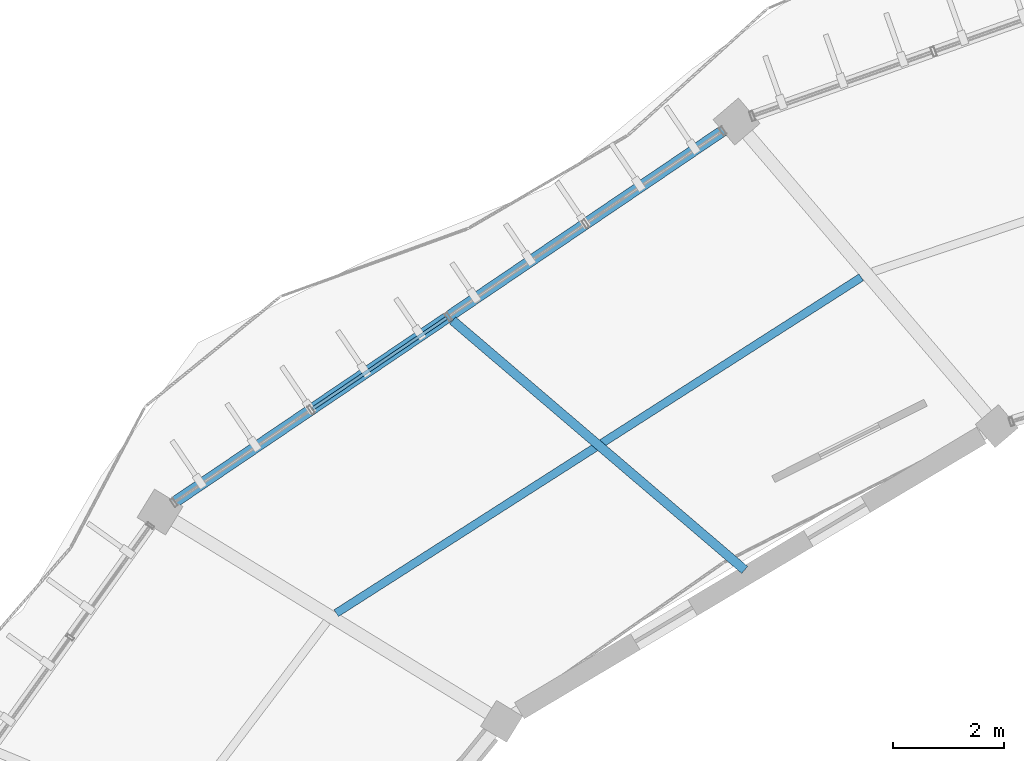
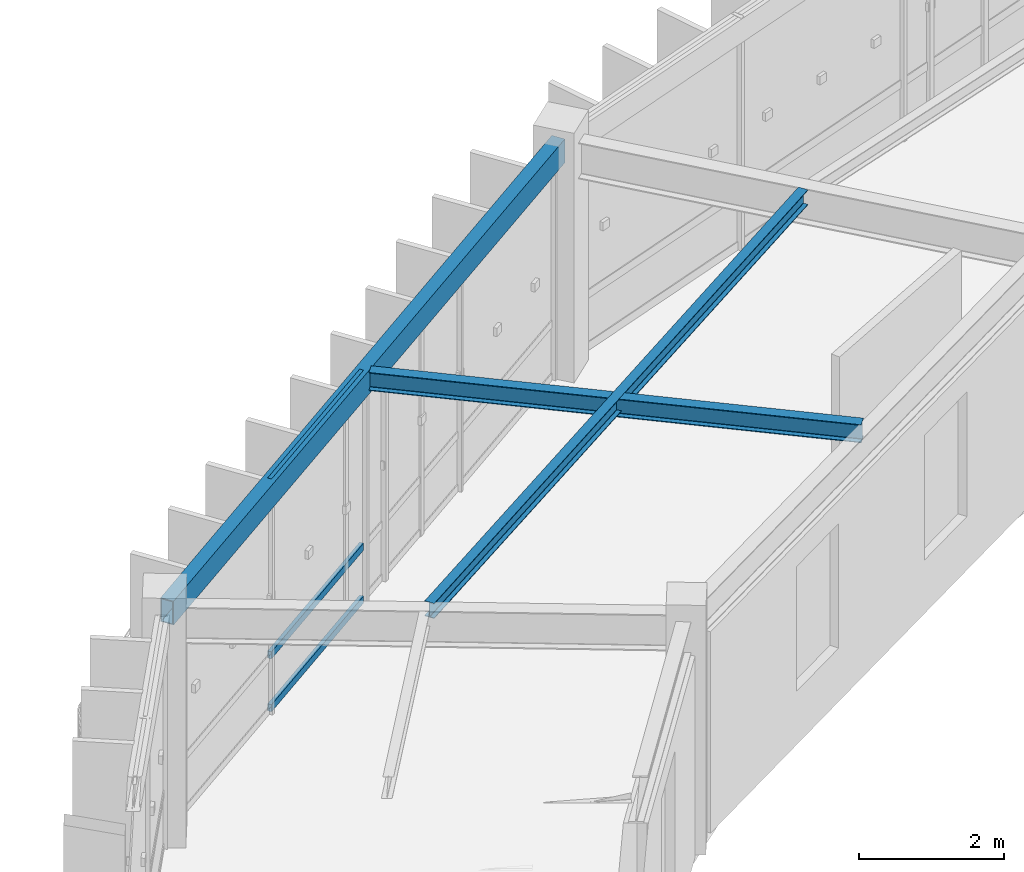
# One storey, part 22 of 83: 3 beams, 3 members, 1 element without a shape of its own.
"""IFC4 building model written with IfcOpenShell, lengths in metres."""

import ifcopenshell
import ifcopenshell.guid

model = None  # the IFC model being written
_history = None  # IfcOwnerHistory: only IFC2X3 demands one
_inside = {}  # id of a spatial element -> (the spatial element, [elements in it])
_under = {}  # id of a project, library or spatial element -> (it, [spatial elements below it])
_declared = {}  # id of a project -> (the project, [libraries it declares])
_typed = {}  # id of a type object -> (the type object, [elements of that type])
_made_of = {}  # id of a material, layer set ... -> (it, [elements and type objects made of it])


def new_model(schema):
    """Start an empty IFC model of exactly this schema.

    Asked for "IFC4X3", IfcOpenShell would pick the latest addendum, in which some entities
    have other attributes; the version numbers below select the first issue.
    IFC2X3 requires an IfcOwnerHistory on every rooted entity: one is made here for all.
    """
    global model, _history
    if schema == "IFC4X3":
        model = ifcopenshell.file(schema_version=(4, 3, 0, 0))
    else:
        model = ifcopenshell.file(schema=schema)
    _inside.clear()
    _under.clear()
    _declared.clear()
    _typed.clear()
    _made_of.clear()
    _history = None
    if model.schema == "IFC2X3":
        org = make("IfcOrganization", Name="unknown")
        user = make(
            "IfcPersonAndOrganization",
            ThePerson=make("IfcPerson", FamilyName="unknown"),
            TheOrganization=org,
        )
        app = make(
            "IfcApplication",
            ApplicationDeveloper=org,
            Version="unknown",
            ApplicationFullName="unknown",
            ApplicationIdentifier="unknown",
        )
        _history = make(
            "IfcOwnerHistory",
            OwningUser=user,
            OwningApplication=app,
            ChangeAction="ADDED",
            CreationDate=0,
        )
    return model


def make(cls, **values):
    """One entity of the class cls with the attributes given. An attribute that is None is left unset."""
    return model.create_entity(
        cls, **{name: value for name, value in values.items() if value is not None}
    )


def rooted(cls, **values):
    """An entity with a GlobalId (a new one), such as an element, a storey or a relation."""
    return make(cls, GlobalId=ifcopenshell.guid.new(), OwnerHistory=_history, **values)


def si_unit(unit_type, name, prefix=None):
    """IfcSIUnit, for example si_unit("LENGTHUNIT", "METRE", prefix="MILLI")."""
    return make("IfcSIUnit", UnitType=unit_type, Prefix=prefix, Name=name)


def assignment(units):
    """IfcUnitAssignment: the units of a project."""
    return None if units is None else make("IfcUnitAssignment", Units=units)


def point(xyz):
    """IfcCartesianPoint."""
    return None if xyz is None else make("IfcCartesianPoint", Coordinates=xyz)


def direction(xyz):
    """IfcDirection."""
    return None if xyz is None else make("IfcDirection", DirectionRatios=xyz)


def frame(location, z_axis=None, x_axis=None):
    """IfcAxis2Placement3D, a coordinate frame: its origin and axes. An axis left out is left unset."""
    return make(
        "IfcAxis2Placement3D",
        Location=point(location),
        Axis=direction(z_axis),
        RefDirection=direction(x_axis),
    )


def frame_2d(location, x_axis=None):
    """IfcAxis2Placement2D, a coordinate frame in the plane: its origin and x axis."""
    return make(
        "IfcAxis2Placement2D", Location=point(location), RefDirection=direction(x_axis)
    )


def origin():
    """The frame at (0, 0, 0) with its axes left unset."""
    return frame((0.0, 0.0, 0.0))


def origin_2d():
    """The frame at (0, 0) in the plane with its x axis left unset."""
    return frame_2d((0.0, 0.0))


def place(relative_to, where):
    """IfcLocalPlacement: puts the frame where relative to a parent placement (None: the world)."""
    return make(
        "IfcLocalPlacement", PlacementRelTo=relative_to, RelativePlacement=where
    )


def context(
    kind, dimensions, precision=None, world=None, true_north=None, identifier=None
):
    """IfcGeometricRepresentationContext, for example the 3D "Model" context."""
    return make(
        "IfcGeometricRepresentationContext",
        ContextIdentifier=identifier,
        ContextType=kind,
        CoordinateSpaceDimension=dimensions,
        Precision=precision,
        WorldCoordinateSystem=world,
        TrueNorth=true_north,
    )


def subcontext(parent, identifier, kind, view, scale=None):
    """IfcGeometricRepresentationSubContext, for example "Body" below "Model"."""
    return make(
        "IfcGeometricRepresentationSubContext",
        ContextIdentifier=identifier,
        ContextType=kind,
        ParentContext=parent,
        TargetScale=scale,
        TargetView=view,
    )


def project(units=None, contexts=None):
    """IfcProject with its units and contexts."""
    return rooted(
        "IfcProject",
        Name="project",
        RepresentationContexts=contexts,
        UnitsInContext=assignment(units),
    )


def spatial(cls, under=None, at=None, **own):
    """A site, building, storey or space (cls), placed at a placement, below another one or the project."""
    s = rooted(cls, ObjectPlacement=at, **own)
    if under is not None:
        _under.setdefault(under.id(), (under, []))[1].append(s)
    return s


def profile(cls, at=None, kind="AREA", **sizes):
    """A parametric profile (cls). Its sizes go by their IFC names, for example OverallWidth=200.0."""
    return make(cls, ProfileType=kind, Position=at, **sizes)


def hollow_rectangle(**sizes):
    """IfcRectangleHollowProfileDef."""
    return profile("IfcRectangleHollowProfileDef", **sizes)


def i_section(**sizes):
    """IfcIShapeProfileDef."""
    return profile("IfcIShapeProfileDef", **sizes)


def extrude(swept, where, along, depth):
    """IfcExtrudedAreaSolid: the profile swept, set in the frame where, extruded along a direction by depth."""
    return make(
        "IfcExtrudedAreaSolid",
        SweptArea=swept,
        Position=where,
        ExtrudedDirection=direction(along),
        Depth=depth,
    )


def shape(context_of_items, identifier, shape_type, items):
    """IfcShapeRepresentation: the items that make up one representation, for example the "Body"."""
    return make(
        "IfcShapeRepresentation",
        ContextOfItems=context_of_items,
        RepresentationIdentifier=identifier,
        RepresentationType=shape_type,
        Items=items,
    )


def material(Name=None, Category=None):
    """IfcMaterial."""
    return make("IfcMaterial", Name=Name, Category=Category)


def material_profile(
    of_material, cross_section, Name=None, Category=None, Priority=None
):
    """IfcMaterialProfile: a cross section and its material."""
    return make(
        "IfcMaterialProfile",
        Name=Name,
        Material=of_material,
        Profile=cross_section,
        Priority=Priority,
        Category=Category,
    )


def profile_set(profiles, Name=None, composite=None):
    """IfcMaterialProfileSet."""
    return make(
        "IfcMaterialProfileSet",
        Name=Name,
        MaterialProfiles=profiles,
        CompositeProfile=composite,
    )


def made_of(thing, what):
    """Note that an element or type object is made of a material, layer set ...; save() writes the relation."""
    if what is not None:
        _made_of.setdefault(what.id(), (what, []))[1].append(thing)
    return thing


def type_object(cls, material=None, **own):
    """A type object (cls), such as IfcWallType, which elements share."""
    return made_of(rooted(cls, **own), material)


def element(
    cls,
    number,
    at=None,
    inside=None,
    cuts=None,
    type_object=None,
    material=None,
    context=None,
    identifier="Body",
    shape_type=None,
    held_by="IfcProductDefinitionShape",
    body=None,
    shapes=None,
    **own,
):
    """One element of the class cls, such as IfcWall. Its Tag is "e" and its number.

    at: its placement. inside: the storey or other place that contains it. cuts: it is an
    opening in that element (IfcRelVoidsElement). A single representation is given by context,
    identifier, shape_type and body (its items); several are given by shapes. held_by: the class
    of the entity that holds the representations. save() writes the other relations.
    """
    e = rooted(cls, Tag="e%d" % number, ObjectPlacement=at, **own)
    if body is not None:
        shapes = [shape(context, identifier, shape_type, body)]
    if shapes is not None:
        e.Representation = make(held_by, Representations=shapes)
    if inside is not None:
        _inside.setdefault(inside.id(), (inside, []))[1].append(e)
    if cuts is not None:
        rooted(
            "IfcRelVoidsElement", RelatingBuildingElement=cuts, RelatedOpeningElement=e
        )
    if type_object is not None:
        _typed.setdefault(type_object.id(), (type_object, []))[1].append(e)
    return made_of(e, material)


def aggregate(whole, parts):
    """IfcRelAggregates: a whole, such as a stair, and the parts it consists of."""
    return rooted("IfcRelAggregates", RelatingObject=whole, RelatedObjects=parts)


def save(model, path):
    """Write the relations noted so far, then the file.

    IfcRelAggregates (storeys below a building ...), IfcRelContainedInSpatialStructure (elements
    in a storey), IfcRelDefinesByType, IfcRelAssociatesMaterial and IfcRelDeclares: one each for
    every whole, place, type object, material and project.
    """
    for whole, parts in _under.values():
        aggregate(whole, parts)
    for where, things in _inside.values():
        rooted(
            "IfcRelContainedInSpatialStructure",
            RelatedElements=things,
            RelatingStructure=where,
        )
    for kind, things in _typed.values():
        rooted("IfcRelDefinesByType", RelatedObjects=things, RelatingType=kind)
    for what, things in _made_of.values():
        rooted("IfcRelAssociatesMaterial", RelatedObjects=things, RelatingMaterial=what)
    for by, libraries in _declared.values():
        rooted("IfcRelDeclares", RelatingContext=by, RelatedDefinitions=libraries)
    model.write(path)


model = new_model("IFC4")

# Units and contexts
model_context = context("Model", 3, precision=1e-05, world=origin(), true_north=direction((0.0, 1.0)))
body_context = subcontext(model_context, "Body", "Model", "MODEL_VIEW")
ifc_project = project(units=[si_unit("LENGTHUNIT", "METRE"), si_unit("AREAUNIT", "SQUARE_METRE"), si_unit("VOLUMEUNIT", "CUBIC_METRE"), si_unit("PLANEANGLEUNIT", "RADIAN"), si_unit("MASSUNIT", "GRAM", prefix="KILO"), si_unit("THERMODYNAMICTEMPERATUREUNIT", "KELVIN"), si_unit("POWERUNIT", "WATT")], contexts=[model_context])

# Site, building, storey
site_placement = place(None, origin())
site = spatial("IfcSite", under=ifc_project, at=site_placement, CompositionType="ELEMENT")
building_placement = place(site_placement, origin())
building = spatial("IfcBuilding", under=site, at=building_placement, Name="Darbajah Civic Hall", CompositionType="ELEMENT")
storey_placement = place(building_placement, frame((0.0, 0.0, 18.0)))
storey = spatial("IfcBuildingStorey", under=building, at=storey_placement, Name="L04", CompositionType="ELEMENT", Elevation=18.0)

# Curtain wall, members
ifc_material_1 = material(Name="Anodised Bronze Aluminium and Low-E Glazing", Category="aluminium")
curtain_wall_type = type_object("IfcCurtainWallType", Name="Unitised Curtain Wall CW-58 11900x3900", PredefinedType="USERDEFINED", material=ifc_material_1)
curtain_wall_placement = place(storey_placement, origin())
curtain_wall = element("IfcCurtainWall", 1, at=curtain_wall_placement, inside=storey, type_object=curtain_wall_type, Name="L04 unitised curtain wall CW-V1O-L04-07", ObjectType="UNITISED CURTAIN WALL", PredefinedType="USERDEFINED")
ifc_material_2 = material(Name="Anodised Bronze Aluminium", Category="aluminium")
ifc_material_profile_1 = material_profile(ifc_material_2, hollow_rectangle(XDim=0.06005859375, YDim=0.1201171875, WallThickness=0.003173828125, at=origin_2d()), Name="ALU TRANSOM 60x120")
ifc_profile_set_1 = profile_set([ifc_material_profile_1], Name="Anodised Bronze Aluminium")
member_type = type_object("IfcMemberType", Name="ALU TRANSOM 60x120", PredefinedType="USERDEFINED", material=ifc_profile_set_1)
member_1_placement = place(storey_placement, frame((50.767822265625, 108.703125, 0.06005859375), z_axis=(-0.827985335355, -0.560749752062, 0.0), x_axis=(0.560749752062, -0.827985335355, 0.0)))
member_1 = element("IfcMember", 2, at=member_1_placement, type_object=member_type, Name="CW-V1O-L04-07 transom 3.1", ObjectType="TRANSOM", PredefinedType="USERDEFINED", context=body_context, shape_type="SweptSolid", body=[
    extrude(hollow_rectangle(XDim=0.06005859375, YDim=0.1201171875, WallThickness=0.003173828125, at=origin_2d()), origin(), (0.0, 0.0, 1.0), 2.907958984375),
])
member_2_placement = place(storey_placement, frame((50.767822265625, 108.703125, 0.949951171875), z_axis=(-0.827985335355, -0.560749752062, 0.0), x_axis=(0.560749752062, -0.827985335355, 0.0)))
member_2 = element("IfcMember", 3, at=member_2_placement, type_object=member_type, Name="CW-V1O-L04-07 transom 3.2", ObjectType="TRANSOM", PredefinedType="USERDEFINED", context=body_context, shape_type="SweptSolid", body=[
    extrude(hollow_rectangle(XDim=0.06005859375, YDim=0.1201171875, WallThickness=0.003173828125, at=origin_2d()), origin(), (0.0, 0.0, 1.0), 2.907958984375),
])
member_3_placement = place(storey_placement, frame((50.767822265625, 108.703125, 3.860107421875), z_axis=(-0.827985335355, -0.560749752062, 0.0), x_axis=(0.560749752062, -0.827985335355, 0.0)))
member_3 = element("IfcMember", 4, at=member_3_placement, type_object=member_type, Name="CW-V1O-L04-07 transom 3.3", ObjectType="TRANSOM", PredefinedType="USERDEFINED", context=body_context, shape_type="SweptSolid", body=[
    extrude(hollow_rectangle(XDim=0.06005859375, YDim=0.1201171875, WallThickness=0.003173828125, at=origin_2d()), origin(), (0.0, 0.0, 1.0), 2.907958984375),
])
aggregate(curtain_wall, [member_1, member_2, member_3])

# Beams
ifc_material_3 = material(Name="Steel S355JR", Category="steel")
ifc_material_profile_2 = material_profile(ifc_material_3, hollow_rectangle(XDim=0.199951171875, YDim=0.39990234375, WallThickness=0.013916015625, at=origin_2d()), Name="RHS 400x200x14")
ifc_profile_set_2 = profile_set([ifc_material_profile_2], Name="Steel S355JR")
beam_type_1 = type_object("IfcBeamType", Name="RHS 400x200x14", PredefinedType="SPANDREL", material=ifc_profile_set_2)
beam_1_placement = place(storey_placement, frame((55.911865234375, 112.18701171875, 3.719970703125), z_axis=(-0.827982022698, -0.560754643394, 0.0), x_axis=(0.560754643394, -0.827982022698, 0.0)))
element("IfcBeam", 5, at=beam_1_placement, inside=storey, type_object=beam_type_1, Name="L04 beam SP-RHS400", PredefinedType="SPANDREL", context=body_context, shape_type="SweptSolid", body=[
    extrude(hollow_rectangle(XDim=0.199951171875, YDim=0.39990234375, WallThickness=0.013916015625, at=origin_2d()), origin(), (0.0, 0.0, 1.0), 12.355712890625),
])
ifc_material_profile_3 = material_profile(ifc_material_3, i_section(OverallWidth=0.146484375, OverallDepth=0.256103515625, WebThickness=0.00634765625, FlangeThickness=0.010986328125, FilletRadius=0.007568359375, at=origin_2d()), Name="UB 254x146x37")
ifc_profile_set_3 = profile_set([ifc_material_profile_3], Name="Steel S355JR")
beam_type_2 = type_object("IfcBeamType", Name="UB 254x146x37", PredefinedType="JOIST", material=ifc_profile_set_3)
beam_2_placement = place(storey_placement, frame((58.218505859375, 109.431884765625, 3.7919921875), z_axis=(-0.842364011789, -0.538908964152, 0.0), x_axis=(0.538908964152, -0.842364011789, 0.0)))
element("IfcBeam", 6, at=beam_2_placement, inside=storey, type_object=beam_type_2, Name="L04 beam SJ-254", PredefinedType="JOIST", context=body_context, shape_type="SweptSolid", body=[
    extrude(i_section(OverallWidth=0.146484375, OverallDepth=0.256103515625, WebThickness=0.00634765625, FlangeThickness=0.010986328125, FilletRadius=0.007568359375, at=origin_2d()), origin(), (0.0, 0.0, 1.0), 11.20166015625),
])
ifc_material_profile_4 = material_profile(ifc_material_3, i_section(OverallWidth=0.165771484375, OverallDepth=0.306640625, WebThickness=0.006591796875, FlangeThickness=0.01171875, FilletRadius=0.0087890625, at=origin_2d()), Name="UB 305x165x46")
ifc_profile_set_4 = profile_set([ifc_material_profile_4], Name="Steel S355JR")
beam_type_3 = type_object("IfcBeamType", Name="UB 305x165x46", PredefinedType="JOIST", material=ifc_profile_set_4)
beam_3_placement = place(storey_placement, frame((56.123779296875, 104.173095703125, 3.7666015625), z_axis=(-0.760413700639, 0.649438991654, 0.0), x_axis=(-0.649438991654, -0.760413700639, 0.0)))
element("IfcBeam", 7, at=beam_3_placement, inside=storey, type_object=beam_type_3, Name="L04 beam SJ-305", PredefinedType="JOIST", context=body_context, shape_type="SweptSolid", body=[
    extrude(i_section(OverallWidth=0.165771484375, OverallDepth=0.306640625, WebThickness=0.006591796875, FlangeThickness=0.01171875, FilletRadius=0.0087890625, at=origin_2d()), origin(), (0.0, 0.0, 1.0), 6.903564453125),
])

save(model, "model.ifc")
